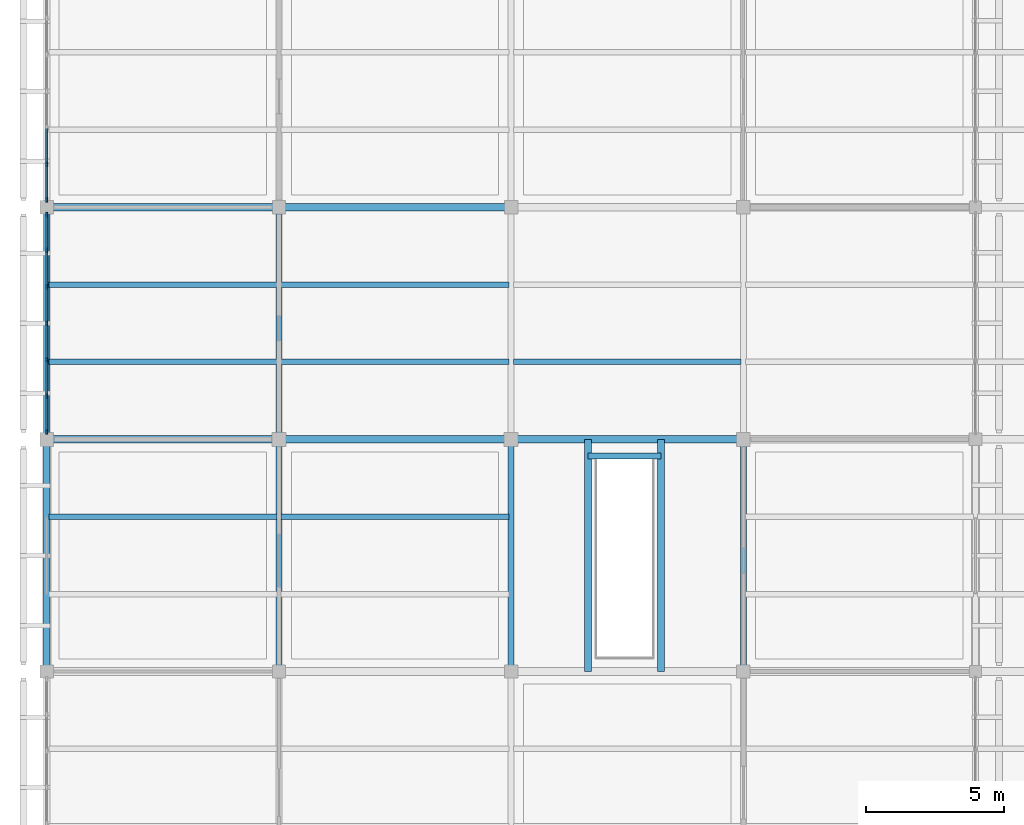
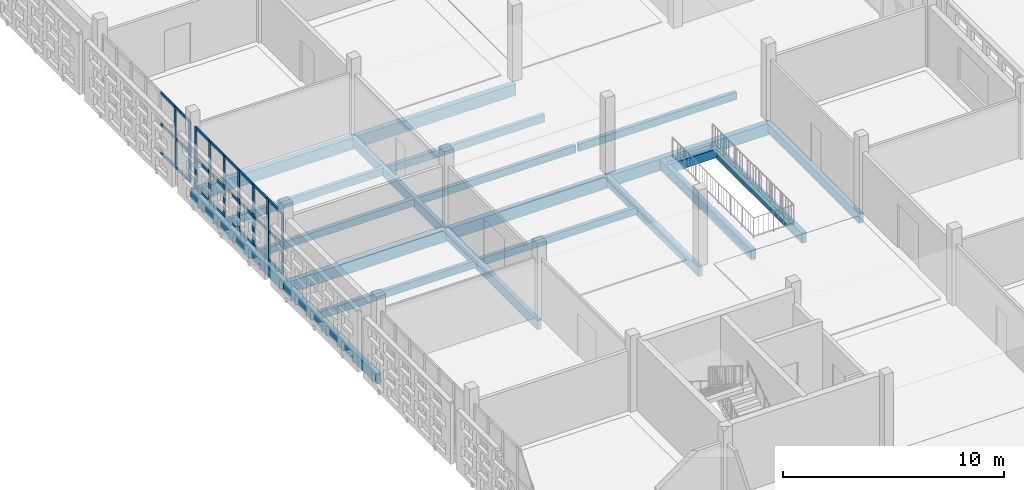
# One storey, part 32 of 166: 33 members, 21 beams, 2 elements without a shape of their own.
"""IFC4 building model written with IfcOpenShell, lengths in metres."""

import ifcopenshell
import ifcopenshell.guid

model = None  # the IFC model being written
_history = None  # IfcOwnerHistory: only IFC2X3 demands one
_inside = {}  # id of a spatial element -> (the spatial element, [elements in it])
_under = {}  # id of a project, library or spatial element -> (it, [spatial elements below it])
_declared = {}  # id of a project -> (the project, [libraries it declares])
_typed = {}  # id of a type object -> (the type object, [elements of that type])
_made_of = {}  # id of a material, layer set ... -> (it, [elements and type objects made of it])


def new_model(schema):
    """Start an empty IFC model of exactly this schema.

    Asked for "IFC4X3", IfcOpenShell would pick the latest addendum, in which some entities
    have other attributes; the version numbers below select the first issue.
    IFC2X3 requires an IfcOwnerHistory on every rooted entity: one is made here for all.
    """
    global model, _history
    if schema == "IFC4X3":
        model = ifcopenshell.file(schema_version=(4, 3, 0, 0))
    else:
        model = ifcopenshell.file(schema=schema)
    _inside.clear()
    _under.clear()
    _declared.clear()
    _typed.clear()
    _made_of.clear()
    _history = None
    if model.schema == "IFC2X3":
        org = make("IfcOrganization", Name="unknown")
        user = make(
            "IfcPersonAndOrganization",
            ThePerson=make("IfcPerson", FamilyName="unknown"),
            TheOrganization=org,
        )
        app = make(
            "IfcApplication",
            ApplicationDeveloper=org,
            Version="unknown",
            ApplicationFullName="unknown",
            ApplicationIdentifier="unknown",
        )
        _history = make(
            "IfcOwnerHistory",
            OwningUser=user,
            OwningApplication=app,
            ChangeAction="ADDED",
            CreationDate=0,
        )
    return model


def make(cls, **values):
    """One entity of the class cls with the attributes given. An attribute that is None is left unset."""
    return model.create_entity(
        cls, **{name: value for name, value in values.items() if value is not None}
    )


def rooted(cls, **values):
    """An entity with a GlobalId (a new one), such as an element, a storey or a relation."""
    return make(cls, GlobalId=ifcopenshell.guid.new(), OwnerHistory=_history, **values)


def si_unit(unit_type, name, prefix=None):
    """IfcSIUnit, for example si_unit("LENGTHUNIT", "METRE", prefix="MILLI")."""
    return make("IfcSIUnit", UnitType=unit_type, Prefix=prefix, Name=name)


def assignment(units):
    """IfcUnitAssignment: the units of a project."""
    return None if units is None else make("IfcUnitAssignment", Units=units)


def point(xyz):
    """IfcCartesianPoint."""
    return None if xyz is None else make("IfcCartesianPoint", Coordinates=xyz)


def direction(xyz):
    """IfcDirection."""
    return None if xyz is None else make("IfcDirection", DirectionRatios=xyz)


def frame(location, z_axis=None, x_axis=None):
    """IfcAxis2Placement3D, a coordinate frame: its origin and axes. An axis left out is left unset."""
    return make(
        "IfcAxis2Placement3D",
        Location=point(location),
        Axis=direction(z_axis),
        RefDirection=direction(x_axis),
    )


def frame_2d(location, x_axis=None):
    """IfcAxis2Placement2D, a coordinate frame in the plane: its origin and x axis."""
    return make(
        "IfcAxis2Placement2D", Location=point(location), RefDirection=direction(x_axis)
    )


def origin():
    """The frame at (0, 0, 0) with its axes left unset."""
    return frame((0.0, 0.0, 0.0))


def origin_2d():
    """The frame at (0, 0) in the plane with its x axis left unset."""
    return frame_2d((0.0, 0.0))


def place(relative_to, where):
    """IfcLocalPlacement: puts the frame where relative to a parent placement (None: the world)."""
    return make(
        "IfcLocalPlacement", PlacementRelTo=relative_to, RelativePlacement=where
    )


def context(
    kind, dimensions, precision=None, world=None, true_north=None, identifier=None
):
    """IfcGeometricRepresentationContext, for example the 3D "Model" context."""
    return make(
        "IfcGeometricRepresentationContext",
        ContextIdentifier=identifier,
        ContextType=kind,
        CoordinateSpaceDimension=dimensions,
        Precision=precision,
        WorldCoordinateSystem=world,
        TrueNorth=true_north,
    )


def subcontext(parent, identifier, kind, view, scale=None):
    """IfcGeometricRepresentationSubContext, for example "Body" below "Model"."""
    return make(
        "IfcGeometricRepresentationSubContext",
        ContextIdentifier=identifier,
        ContextType=kind,
        ParentContext=parent,
        TargetScale=scale,
        TargetView=view,
    )


def project(units=None, contexts=None):
    """IfcProject with its units and contexts."""
    return rooted(
        "IfcProject",
        Name="project",
        RepresentationContexts=contexts,
        UnitsInContext=assignment(units),
    )


def spatial(cls, under=None, at=None, **own):
    """A site, building, storey or space (cls), placed at a placement, below another one or the project."""
    s = rooted(cls, ObjectPlacement=at, **own)
    if under is not None:
        _under.setdefault(under.id(), (under, []))[1].append(s)
    return s


def profile(cls, at=None, kind="AREA", **sizes):
    """A parametric profile (cls). Its sizes go by their IFC names, for example OverallWidth=200.0."""
    return make(cls, ProfileType=kind, Position=at, **sizes)


def rectangle(**sizes):
    """IfcRectangleProfileDef."""
    return profile("IfcRectangleProfileDef", **sizes)


def extrude(swept, where, along, depth):
    """IfcExtrudedAreaSolid: the profile swept, set in the frame where, extruded along a direction by depth."""
    return make(
        "IfcExtrudedAreaSolid",
        SweptArea=swept,
        Position=where,
        ExtrudedDirection=direction(along),
        Depth=depth,
    )


def shape(context_of_items, identifier, shape_type, items):
    """IfcShapeRepresentation: the items that make up one representation, for example the "Body"."""
    return make(
        "IfcShapeRepresentation",
        ContextOfItems=context_of_items,
        RepresentationIdentifier=identifier,
        RepresentationType=shape_type,
        Items=items,
    )


def material(Name=None, Category=None):
    """IfcMaterial."""
    return make("IfcMaterial", Name=Name, Category=Category)


def layer(
    of_material, thickness, ventilated=None, Name=None, Category=None, Priority=None
):
    """IfcMaterialLayer: one layer of a wall or slab, of a material (None: an air gap)."""
    return make(
        "IfcMaterialLayer",
        Material=of_material,
        LayerThickness=thickness,
        IsVentilated=ventilated,
        Name=Name,
        Category=Category,
        Priority=Priority,
    )


def layer_set(layers, Name=None):
    """IfcMaterialLayerSet."""
    return make("IfcMaterialLayerSet", MaterialLayers=layers, LayerSetName=Name)


def material_profile(
    of_material, cross_section, Name=None, Category=None, Priority=None
):
    """IfcMaterialProfile: a cross section and its material."""
    return make(
        "IfcMaterialProfile",
        Name=Name,
        Material=of_material,
        Profile=cross_section,
        Priority=Priority,
        Category=Category,
    )


def profile_set(profiles, Name=None, composite=None):
    """IfcMaterialProfileSet."""
    return make(
        "IfcMaterialProfileSet",
        Name=Name,
        MaterialProfiles=profiles,
        CompositeProfile=composite,
    )


def made_of(thing, what):
    """Note that an element or type object is made of a material, layer set ...; save() writes the relation."""
    if what is not None:
        _made_of.setdefault(what.id(), (what, []))[1].append(thing)
    return thing


def type_object(cls, material=None, **own):
    """A type object (cls), such as IfcWallType, which elements share."""
    return made_of(rooted(cls, **own), material)


def element(
    cls,
    number,
    at=None,
    inside=None,
    cuts=None,
    type_object=None,
    material=None,
    context=None,
    identifier="Body",
    shape_type=None,
    held_by="IfcProductDefinitionShape",
    body=None,
    shapes=None,
    **own,
):
    """One element of the class cls, such as IfcWall. Its Tag is "e" and its number.

    at: its placement. inside: the storey or other place that contains it. cuts: it is an
    opening in that element (IfcRelVoidsElement). A single representation is given by context,
    identifier, shape_type and body (its items); several are given by shapes. held_by: the class
    of the entity that holds the representations. save() writes the other relations.
    """
    e = rooted(cls, Tag="e%d" % number, ObjectPlacement=at, **own)
    if body is not None:
        shapes = [shape(context, identifier, shape_type, body)]
    if shapes is not None:
        e.Representation = make(held_by, Representations=shapes)
    if inside is not None:
        _inside.setdefault(inside.id(), (inside, []))[1].append(e)
    if cuts is not None:
        rooted(
            "IfcRelVoidsElement", RelatingBuildingElement=cuts, RelatedOpeningElement=e
        )
    if type_object is not None:
        _typed.setdefault(type_object.id(), (type_object, []))[1].append(e)
    return made_of(e, material)


def aggregate(whole, parts):
    """IfcRelAggregates: a whole, such as a stair, and the parts it consists of."""
    return rooted("IfcRelAggregates", RelatingObject=whole, RelatedObjects=parts)


def save(model, path):
    """Write the relations noted so far, then the file.

    IfcRelAggregates (storeys below a building ...), IfcRelContainedInSpatialStructure (elements
    in a storey), IfcRelDefinesByType, IfcRelAssociatesMaterial and IfcRelDeclares: one each for
    every whole, place, type object, material and project.
    """
    for whole, parts in _under.values():
        aggregate(whole, parts)
    for where, things in _inside.values():
        rooted(
            "IfcRelContainedInSpatialStructure",
            RelatedElements=things,
            RelatingStructure=where,
        )
    for kind, things in _typed.values():
        rooted("IfcRelDefinesByType", RelatedObjects=things, RelatingType=kind)
    for what, things in _made_of.values():
        rooted("IfcRelAssociatesMaterial", RelatedObjects=things, RelatingMaterial=what)
    for by, libraries in _declared.values():
        rooted("IfcRelDeclares", RelatingContext=by, RelatedDefinitions=libraries)
    model.write(path)


model = new_model("IFC4")

# Units and contexts
model_context = context("Model", 3, precision=1e-05, world=origin(), true_north=direction((0.0, 1.0)))
body_context = subcontext(model_context, "Body", "Model", "MODEL_VIEW")
ifc_project = project(units=[si_unit("LENGTHUNIT", "METRE"), si_unit("AREAUNIT", "SQUARE_METRE"), si_unit("VOLUMEUNIT", "CUBIC_METRE"), si_unit("PLANEANGLEUNIT", "RADIAN"), si_unit("MASSUNIT", "GRAM", prefix="KILO")], contexts=[model_context])

# Site, building, storey
site_placement = place(None, origin())
site = spatial("IfcSite", under=ifc_project, at=site_placement, CompositionType="ELEMENT")
building_placement = place(site_placement, origin())
building = spatial("IfcBuilding", under=site, at=building_placement, Name="Varnapada Polytechnic", CompositionType="ELEMENT")
storey_placement = place(building_placement, frame((0.0, 0.0, 9.60009765625)))
storey = spatial("IfcBuildingStorey", under=building, at=storey_placement, Name="L02", CompositionType="ELEMENT", Elevation=9.60009765625)

# Beams
ifc_material_1 = material(Name="Glulam GL32h", Category="wood")
ifc_material_profile_1 = material_profile(ifc_material_1, rectangle(XDim=0.280029296875, YDim=0.639892578125, at=origin_2d()), Name="GL 280x640")
ifc_profile_set_1 = profile_set([ifc_material_profile_1], Name="Glulam GL32h")
beam_type_1 = type_object("IfcBeamType", Name="Laboratory primary glulam girder GG-02 (GL 280x640)", PredefinedType="BEAM", material=ifc_profile_set_1)
for number, where, z_axis, x_axis, name in (
    (1, (0.0, 84.0, -0.56005859375), (1.0, 0.0, 0.0), (0.0, 1.0, 0.0), "L02 beam X 1-2 at Y11"),
    (2, (0.0, 92.39990234375, -0.56005859375), (1.0, 0.0, 0.0), (0.0, 1.0, 0.0), "L02 beam X 1-2 at Y12"),
):
    element("IfcBeam", number, at=place(storey_placement, frame(where, z_axis=z_axis, x_axis=x_axis)), inside=storey, type_object=beam_type_1, Name=name, PredefinedType="BEAM", context=body_context, shape_type="SweptSolid", body=[
        extrude(rectangle(XDim=0.280029296875, YDim=0.639892578125, at=origin_2d()), origin(), (0.0, 0.0, 1.0), 8.39990234375),
    ])
for number, where, z_axis, x_axis, name in (
    (3, (8.39990234375, 84.0, -0.56005859375), (1.0, 0.0, 0.0), (0.0, 1.0, 0.0), "L02 beam X 2-3 at Y11"),
    (4, (8.39990234375, 92.39990234375, -0.56005859375), (1.0, 0.0, 0.0), (0.0, 1.0, 0.0), "L02 beam X 2-3 at Y12"),
):
    element("IfcBeam", number, at=place(storey_placement, frame(where, z_axis=z_axis, x_axis=x_axis)), inside=storey, type_object=beam_type_1, Name=name, PredefinedType="BEAM", context=body_context, shape_type="SweptSolid", body=[
        extrude(rectangle(XDim=0.280029296875, YDim=0.639892578125, at=origin_2d()), origin(), (0.0, 0.0, 1.0), 8.400146484375),
    ])
beam_1_placement = place(storey_placement, frame((16.800048828125, 84.0, -0.56005859375), z_axis=(1.0, 0.0, 0.0), x_axis=(0.0, 1.0, 0.0)))
element("IfcBeam", 5, at=beam_1_placement, inside=storey, type_object=beam_type_1, Name="L02 beam X 3-4 at Y11", PredefinedType="BEAM", context=body_context, shape_type="SweptSolid", body=[
    extrude(rectangle(XDim=0.280029296875, YDim=0.639892578125, at=origin_2d()), origin(), (0.0, 0.0, 1.0), 8.39990234375),
])
ifc_material_profile_2 = material_profile(ifc_material_1, rectangle(XDim=0.219970703125, YDim=0.52001953125, at=origin_2d()), Name="GL 220x520")
ifc_profile_set_2 = profile_set([ifc_material_profile_2], Name="Glulam GL32h")
beam_type_2 = type_object("IfcBeamType", Name="Laboratory transverse glulam beam GB-12 (GL 220x520)", PredefinedType="BEAM", material=ifc_profile_set_2)
for number, where, z_axis, x_axis, name in (
    (6, (8.39990234375, 75.60009765625, -0.5), (0.0, 1.0, 0.0), (-1.0, 0.0, 0.0), "L02 beam Y 10-11 at X2"),
    (7, (8.39990234375, 84.0, -0.5), (0.0, 1.0, 0.0), (-1.0, 0.0, 0.0), "L02 beam Y 11-12 at X2"),
    (8, (16.800048828125, 75.60009765625, -0.5), (0.0, 1.0, 0.0), (-1.0, 0.0, 0.0), "L02 beam Y 10-11 at X3"),
    (9, (25.199951171875, 75.60009765625, -0.5), (0.0, 1.0, 0.0), (-1.0, 0.0, 0.0), "L02 beam Y 10-11 at X4"),
):
    element("IfcBeam", number, at=place(storey_placement, frame(where, z_axis=z_axis, x_axis=x_axis)), inside=storey, type_object=beam_type_2, Name=name, PredefinedType="BEAM", context=body_context, shape_type="SweptSolid", body=[
        extrude(rectangle(XDim=0.219970703125, YDim=0.52001953125, at=origin_2d()), origin(), (0.0, 0.0, 1.0), 8.39990234375),
    ])
ifc_material_profile_3 = material_profile(ifc_material_1, rectangle(XDim=0.199951171875, YDim=0.39990234375, at=origin_2d()), Name="GL 200x400")
ifc_profile_set_3 = profile_set([ifc_material_profile_3], Name="Glulam GL32h")
beam_type_3 = type_object("IfcBeamType", Name="Library/laboratory glulam floor joist GJ-01 (GL 200x400)", PredefinedType="JOIST", material=ifc_profile_set_3)
for number, where, z_axis, x_axis, name in (
    (10, (0.080078125, 81.199951171875, -0.440185546875), (1.0, 0.0, 0.0), (0.0, 1.0, 0.0), "L02 floor joist 1/10.2"),
    (11, (0.080078125, 86.800048828125, -0.440185546875), (1.0, 0.0, 0.0), (0.0, 1.0, 0.0), "L02 floor joist 1/11.1"),
    (12, (0.080078125, 89.60009765625, -0.440185546875), (1.0, 0.0, 0.0), (0.0, 1.0, 0.0), "L02 floor joist 1/11.2"),
    (13, (8.47998046875, 81.199951171875, -0.440185546875), (1.0, 0.0, 0.0), (0.0, 1.0, 0.0), "L02 floor joist 2/10.2"),
    (14, (8.47998046875, 86.800048828125, -0.440185546875), (1.0, 0.0, 0.0), (0.0, 1.0, 0.0), "L02 floor joist 2/11.1"),
    (15, (8.47998046875, 89.60009765625, -0.440185546875), (1.0, 0.0, 0.0), (0.0, 1.0, 0.0), "L02 floor joist 2/11.2"),
):
    element("IfcBeam", number, at=place(storey_placement, frame(where, z_axis=z_axis, x_axis=x_axis)), inside=storey, type_object=beam_type_3, Name=name, PredefinedType="JOIST", context=body_context, shape_type="SweptSolid", body=[
        extrude(rectangle(XDim=0.199951171875, YDim=0.39990234375, at=origin_2d()), origin(), (0.0, 0.0, 1.0), 8.239990234375),
    ])
beam_2_placement = place(storey_placement, frame((16.8798828125, 86.800048828125, -0.440185546875), z_axis=(1.0, 0.0, 0.0), x_axis=(0.0, 1.0, 0.0)))
element("IfcBeam", 16, at=beam_2_placement, inside=storey, type_object=beam_type_3, Name="L02 floor joist 3/11.1", PredefinedType="JOIST", context=body_context, shape_type="SweptSolid", body=[
    extrude(rectangle(XDim=0.199951171875, YDim=0.39990234375, at=origin_2d()), origin(), (0.0, 0.0, 1.0), 8.240234375),
])

# Curtain wall, members
ifc_material_2 = material(Name="Double low-E laminated glass", Category="glass")
ifc_layer = layer(ifc_material_2, 0.179931640625)
ifc_layer_set = layer_set([ifc_layer], Name="Double low-E laminated glass")
curtain_wall_type = type_object("IfcCurtainWallType", Name="Curtain Wall CW-03", PredefinedType="NOTDEFINED", material=ifc_layer_set)
curtain_wall_1_placement = place(storey_placement, origin())
curtain_wall_1 = element("IfcCurtainWall", 17, at=curtain_wall_1_placement, inside=storey, type_object=curtain_wall_type, Name="L02 unitised curtain wall CW-03 (132)", PredefinedType="NOTDEFINED")
ifc_material_3 = material(Name="Anodised aluminium", Category="aluminium")
ifc_material_profile_4 = material_profile(ifc_material_3, rectangle(XDim=0.06494140625, YDim=0.179931640625, at=origin_2d()), Name="ALU M65x180")
ifc_profile_set_4 = profile_set([ifc_material_profile_4], Name="Anodised aluminium")
member_type_1 = type_object("IfcMemberType", Name="Mullion M-02", PredefinedType="MULLION", material=ifc_profile_set_4)
member_1_placement = place(storey_placement, frame((0.0, 84.282470703125, 0.0), z_axis=(0.0, 0.0, 1.0), x_axis=(-1.0, 0.0, 0.0)))
member_1 = element("IfcMember", 18, at=member_1_placement, type_object=member_type_1, Name="CW-03 mullion 1", PredefinedType="MULLION", context=body_context, shape_type="SweptSolid", body=[
    extrude(rectangle(XDim=0.06494140625, YDim=0.179931640625, at=origin_2d()), origin(), (0.0, 0.0, 1.0), 3.35986328125),
])
member_2_placement = place(storey_placement, frame((0.0, 85.568359375, 0.0), z_axis=(0.0, 0.0, 1.0), x_axis=(-1.0, 0.0, 0.0)))
member_2 = element("IfcMember", 19, at=member_2_placement, type_object=member_type_1, Name="CW-03 mullion 2", PredefinedType="MULLION", context=body_context, shape_type="SweptSolid", body=[
    extrude(rectangle(XDim=0.06494140625, YDim=0.179931640625, at=origin_2d()), origin(), (0.0, 0.0, 1.0), 3.35986328125),
])
member_3_placement = place(storey_placement, frame((0.0, 86.88671875, 0.0), z_axis=(0.0, 0.0, 1.0), x_axis=(-1.0, 0.0, 0.0)))
member_3 = element("IfcMember", 20, at=member_3_placement, type_object=member_type_1, Name="CW-03 mullion 3", PredefinedType="MULLION", context=body_context, shape_type="SweptSolid", body=[
    extrude(rectangle(XDim=0.06494140625, YDim=0.179931640625, at=origin_2d()), origin(), (0.0, 0.0, 1.0), 3.35986328125),
])
member_4_placement = place(storey_placement, frame((0.0, 88.205078125, 0.0), z_axis=(0.0, 0.0, 1.0), x_axis=(-1.0, 0.0, 0.0)))
member_4 = element("IfcMember", 21, at=member_4_placement, type_object=member_type_1, Name="CW-03 mullion 4", PredefinedType="MULLION", context=body_context, shape_type="SweptSolid", body=[
    extrude(rectangle(XDim=0.06494140625, YDim=0.179931640625, at=origin_2d()), origin(), (0.0, 0.0, 1.0), 3.35986328125),
])
member_5_placement = place(storey_placement, frame((0.0, 89.5234375, 0.0), z_axis=(0.0, 0.0, 1.0), x_axis=(-1.0, 0.0, 0.0)))
member_5 = element("IfcMember", 22, at=member_5_placement, type_object=member_type_1, Name="CW-03 mullion 5", PredefinedType="MULLION", context=body_context, shape_type="SweptSolid", body=[
    extrude(rectangle(XDim=0.06494140625, YDim=0.179931640625, at=origin_2d()), origin(), (0.0, 0.0, 1.0), 3.35986328125),
])
member_6_placement = place(storey_placement, frame((0.0, 90.841552734375, 0.0), z_axis=(0.0, 0.0, 1.0), x_axis=(-1.0, 0.0, 0.0)))
member_6 = element("IfcMember", 23, at=member_6_placement, type_object=member_type_1, Name="CW-03 mullion 6", PredefinedType="MULLION", context=body_context, shape_type="SweptSolid", body=[
    extrude(rectangle(XDim=0.06494140625, YDim=0.179931640625, at=origin_2d()), origin(), (0.0, 0.0, 1.0), 3.35986328125),
])
member_7_placement = place(storey_placement, frame((0.0, 92.12744140625, 0.0), z_axis=(0.0, 0.0, 1.0), x_axis=(-1.0, 0.0, 0.0)))
member_7 = element("IfcMember", 24, at=member_7_placement, type_object=member_type_1, Name="CW-03 mullion 7", PredefinedType="MULLION", context=body_context, shape_type="SweptSolid", body=[
    extrude(rectangle(XDim=0.06494140625, YDim=0.179931640625, at=origin_2d()), origin(), (0.0, 0.0, 1.0), 3.35986328125),
])

curtain_wall_2_placement = place(storey_placement, origin())
curtain_wall_2 = element("IfcCurtainWall", 25, at=curtain_wall_2_placement, inside=storey, type_object=curtain_wall_type, Name="L02 unitised curtain wall CW-03 (133)", PredefinedType="NOTDEFINED")
member_8_placement = place(storey_placement, frame((0.0, 92.672607421875, 0.0), z_axis=(0.0, 0.0, 1.0), x_axis=(-1.0, 0.0, 0.0)))
member_8 = element("IfcMember", 26, at=member_8_placement, type_object=member_type_1, Name="CW-03 mullion 1", PredefinedType="MULLION", context=body_context, shape_type="SweptSolid", body=[
    extrude(rectangle(XDim=0.06494140625, YDim=0.179931640625, at=origin_2d()), origin(), (0.0, 0.0, 1.0), 3.35986328125),
])
member_9_placement = place(storey_placement, frame((0.0, 93.958251953125, 0.0), z_axis=(0.0, 0.0, 1.0), x_axis=(-1.0, 0.0, 0.0)))
member_9 = element("IfcMember", 27, at=member_9_placement, type_object=member_type_1, Name="CW-03 mullion 2", PredefinedType="MULLION", context=body_context, shape_type="SweptSolid", body=[
    extrude(rectangle(XDim=0.06494140625, YDim=0.179931640625, at=origin_2d()), origin(), (0.0, 0.0, 1.0), 3.35986328125),
])

# Beams
ifc_material_profile_5 = material_profile(ifc_material_1, rectangle(XDim=0.239990234375, YDim=0.56005859375, at=origin_2d()), Name="GL 240x560")
ifc_profile_set_5 = profile_set([ifc_material_profile_5], Name="Glulam GL32h")
beam_type_4 = type_object("IfcBeamType", Name="Perimeter glulam spandrel beam SP-02 (GL 240x560)", PredefinedType="SPANDREL", material=ifc_profile_set_5)
for number, where, z_axis, x_axis, name in (
    (28, (0.0, 75.60009765625, -0.52001953125), (0.0, 1.0, 0.0), (-1.0, 0.0, 0.0), "L02 beam Y 10-11 at X1"),
    (29, (0.0, 84.0, -0.52001953125), (0.0, 1.0, 0.0), (-1.0, 0.0, 0.0), "L02 beam Y 11-12 at X1"),
):
    element("IfcBeam", number, at=place(storey_placement, frame(where, z_axis=z_axis, x_axis=x_axis)), inside=storey, type_object=beam_type_4, Name=name, PredefinedType="SPANDREL", context=body_context, shape_type="SweptSolid", body=[
        extrude(rectangle(XDim=0.239990234375, YDim=0.56005859375, at=origin_2d()), origin(), (0.0, 0.0, 1.0), 8.39990234375),
    ])
ifc_material_profile_6 = material_profile(ifc_material_1, rectangle(XDim=0.239990234375, YDim=0.56005859375, at=origin_2d()), Name="GL 240x560")
ifc_profile_set_6 = profile_set([ifc_material_profile_6], Name="Glulam GL32h")
beam_type_5 = type_object("IfcBeamType", Name="Studio primary glulam girder GG-03 (GL 240x560)", PredefinedType="BEAM", material=ifc_profile_set_6)
for number, where, z_axis, x_axis, name in (
    (30, (19.580078125, 75.60009765625, -0.530029296875), (0.0, 1.0, 0.0), (-1.0, 0.0, 0.0), "L02 studio stair ST-F7 trimmer girder L"),
    (31, (22.219970703125, 75.60009765625, -0.530029296875), (0.0, 1.0, 0.0), (-1.0, 0.0, 0.0), "L02 studio stair ST-F7 trimmer girder R"),
):
    element("IfcBeam", number, at=place(storey_placement, frame(where, z_axis=z_axis, x_axis=x_axis)), inside=storey, type_object=beam_type_5, Name=name, PredefinedType="BEAM", context=body_context, shape_type="SweptSolid", body=[
        extrude(rectangle(XDim=0.239990234375, YDim=0.56005859375, at=origin_2d()), origin(), (0.0, 0.0, 1.0), 8.39990234375),
    ])

# Member
ifc_material_profile_7 = material_profile(ifc_material_3, rectangle(XDim=0.06494140625, YDim=0.139892578125, at=origin_2d()), Name="ALU T65x140")
ifc_profile_set_7 = profile_set([ifc_material_profile_7], Name="Anodised aluminium")
member_type_2 = type_object("IfcMemberType", Name="Transom T-02", PredefinedType="USERDEFINED", material=ifc_profile_set_7)
member_10_placement = place(storey_placement, frame((0.0, 84.31494140625, 0.032470703125), z_axis=(0.0, 1.0, 0.0), x_axis=(-1.0, 0.0, 0.0)))
member_10 = element("IfcMember", 32, at=member_10_placement, type_object=member_type_2, Name="CW-03 transom 1.1", ObjectType="TRANSOM", PredefinedType="USERDEFINED", context=body_context, shape_type="SweptSolid", body=[
    extrude(rectangle(XDim=0.06494140625, YDim=0.139892578125, at=origin_2d()), origin(), (0.0, 0.0, 1.0), 1.220947265625),
])

member_11_placement = place(storey_placement, frame((0.0, 84.31494140625, 1.61279296875), z_axis=(0.0, 1.0, 0.0), x_axis=(-1.0, 0.0, 0.0)))
member_11 = element("IfcMember", 33, at=member_11_placement, type_object=member_type_2, Name="CW-03 transom 1.2", ObjectType="TRANSOM", PredefinedType="USERDEFINED", context=body_context, shape_type="SweptSolid", body=[
    extrude(rectangle(XDim=0.06494140625, YDim=0.139892578125, at=origin_2d()), origin(), (0.0, 0.0, 1.0), 1.220947265625),
])

member_12_placement = place(storey_placement, frame((0.0, 84.31494140625, 3.327392578125), z_axis=(0.0, 1.0, 0.0), x_axis=(-1.0, 0.0, 0.0)))
member_12 = element("IfcMember", 34, at=member_12_placement, type_object=member_type_2, Name="CW-03 transom 1.3", ObjectType="TRANSOM", PredefinedType="USERDEFINED", context=body_context, shape_type="SweptSolid", body=[
    extrude(rectangle(XDim=0.06494140625, YDim=0.139892578125, at=origin_2d()), origin(), (0.0, 0.0, 1.0), 1.220947265625),
])

member_13_placement = place(storey_placement, frame((0.0, 85.600830078125, 0.032470703125), z_axis=(0.0, 1.0, 0.0), x_axis=(-1.0, 0.0, 0.0)))
member_13 = element("IfcMember", 35, at=member_13_placement, type_object=member_type_2, Name="CW-03 transom 2.1", ObjectType="TRANSOM", PredefinedType="USERDEFINED", context=body_context, shape_type="SweptSolid", body=[
    extrude(rectangle(XDim=0.06494140625, YDim=0.139892578125, at=origin_2d()), origin(), (0.0, 0.0, 1.0), 1.25341796875),
])

member_14_placement = place(storey_placement, frame((0.0, 85.600830078125, 1.61279296875), z_axis=(0.0, 1.0, 0.0), x_axis=(-1.0, 0.0, 0.0)))
member_14 = element("IfcMember", 36, at=member_14_placement, type_object=member_type_2, Name="CW-03 transom 2.2", ObjectType="TRANSOM", PredefinedType="USERDEFINED", context=body_context, shape_type="SweptSolid", body=[
    extrude(rectangle(XDim=0.06494140625, YDim=0.139892578125, at=origin_2d()), origin(), (0.0, 0.0, 1.0), 1.25341796875),
])

member_15_placement = place(storey_placement, frame((0.0, 85.600830078125, 3.327392578125), z_axis=(0.0, 1.0, 0.0), x_axis=(-1.0, 0.0, 0.0)))
member_15 = element("IfcMember", 37, at=member_15_placement, type_object=member_type_2, Name="CW-03 transom 2.3", ObjectType="TRANSOM", PredefinedType="USERDEFINED", context=body_context, shape_type="SweptSolid", body=[
    extrude(rectangle(XDim=0.06494140625, YDim=0.139892578125, at=origin_2d()), origin(), (0.0, 0.0, 1.0), 1.25341796875),
])

member_16_placement = place(storey_placement, frame((0.0, 86.919189453125, 0.032470703125), z_axis=(0.0, 1.0, 0.0), x_axis=(-1.0, 0.0, 0.0)))
member_16 = element("IfcMember", 38, at=member_16_placement, type_object=member_type_2, Name="CW-03 transom 3.1", ObjectType="TRANSOM", PredefinedType="USERDEFINED", context=body_context, shape_type="SweptSolid", body=[
    extrude(rectangle(XDim=0.06494140625, YDim=0.139892578125, at=origin_2d()), origin(), (0.0, 0.0, 1.0), 1.25341796875),
])

member_17_placement = place(storey_placement, frame((0.0, 86.919189453125, 1.61279296875), z_axis=(0.0, 1.0, 0.0), x_axis=(-1.0, 0.0, 0.0)))
member_17 = element("IfcMember", 39, at=member_17_placement, type_object=member_type_2, Name="CW-03 transom 3.2", ObjectType="TRANSOM", PredefinedType="USERDEFINED", context=body_context, shape_type="SweptSolid", body=[
    extrude(rectangle(XDim=0.06494140625, YDim=0.139892578125, at=origin_2d()), origin(), (0.0, 0.0, 1.0), 1.25341796875),
])

member_18_placement = place(storey_placement, frame((0.0, 86.919189453125, 3.327392578125), z_axis=(0.0, 1.0, 0.0), x_axis=(-1.0, 0.0, 0.0)))
member_18 = element("IfcMember", 40, at=member_18_placement, type_object=member_type_2, Name="CW-03 transom 3.3", ObjectType="TRANSOM", PredefinedType="USERDEFINED", context=body_context, shape_type="SweptSolid", body=[
    extrude(rectangle(XDim=0.06494140625, YDim=0.139892578125, at=origin_2d()), origin(), (0.0, 0.0, 1.0), 1.25341796875),
])

member_19_placement = place(storey_placement, frame((0.0, 88.237548828125, 0.032470703125), z_axis=(0.0, 1.0, 0.0), x_axis=(-1.0, 0.0, 0.0)))
member_19 = element("IfcMember", 41, at=member_19_placement, type_object=member_type_2, Name="CW-03 transom 4.1", ObjectType="TRANSOM", PredefinedType="USERDEFINED", context=body_context, shape_type="SweptSolid", body=[
    extrude(rectangle(XDim=0.06494140625, YDim=0.139892578125, at=origin_2d()), origin(), (0.0, 0.0, 1.0), 1.253173828125),
])

member_20_placement = place(storey_placement, frame((0.0, 88.237548828125, 1.61279296875), z_axis=(0.0, 1.0, 0.0), x_axis=(-1.0, 0.0, 0.0)))
member_20 = element("IfcMember", 42, at=member_20_placement, type_object=member_type_2, Name="CW-03 transom 4.2", ObjectType="TRANSOM", PredefinedType="USERDEFINED", context=body_context, shape_type="SweptSolid", body=[
    extrude(rectangle(XDim=0.06494140625, YDim=0.139892578125, at=origin_2d()), origin(), (0.0, 0.0, 1.0), 1.253173828125),
])

member_21_placement = place(storey_placement, frame((0.0, 88.237548828125, 3.327392578125), z_axis=(0.0, 1.0, 0.0), x_axis=(-1.0, 0.0, 0.0)))
member_21 = element("IfcMember", 43, at=member_21_placement, type_object=member_type_2, Name="CW-03 transom 4.3", ObjectType="TRANSOM", PredefinedType="USERDEFINED", context=body_context, shape_type="SweptSolid", body=[
    extrude(rectangle(XDim=0.06494140625, YDim=0.139892578125, at=origin_2d()), origin(), (0.0, 0.0, 1.0), 1.253173828125),
])

member_22_placement = place(storey_placement, frame((0.0, 89.555908203125, 0.032470703125), z_axis=(0.0, 1.0, 0.0), x_axis=(-1.0, 0.0, 0.0)))
member_22 = element("IfcMember", 44, at=member_22_placement, type_object=member_type_2, Name="CW-03 transom 5.1", ObjectType="TRANSOM", PredefinedType="USERDEFINED", context=body_context, shape_type="SweptSolid", body=[
    extrude(rectangle(XDim=0.06494140625, YDim=0.139892578125, at=origin_2d()), origin(), (0.0, 0.0, 1.0), 1.253173828125),
])

member_23_placement = place(storey_placement, frame((0.0, 89.555908203125, 1.61279296875), z_axis=(0.0, 1.0, 0.0), x_axis=(-1.0, 0.0, 0.0)))
member_23 = element("IfcMember", 45, at=member_23_placement, type_object=member_type_2, Name="CW-03 transom 5.2", ObjectType="TRANSOM", PredefinedType="USERDEFINED", context=body_context, shape_type="SweptSolid", body=[
    extrude(rectangle(XDim=0.06494140625, YDim=0.139892578125, at=origin_2d()), origin(), (0.0, 0.0, 1.0), 1.253173828125),
])

member_24_placement = place(storey_placement, frame((0.0, 89.555908203125, 3.327392578125), z_axis=(0.0, 1.0, 0.0), x_axis=(-1.0, 0.0, 0.0)))
member_24 = element("IfcMember", 46, at=member_24_placement, type_object=member_type_2, Name="CW-03 transom 5.3", ObjectType="TRANSOM", PredefinedType="USERDEFINED", context=body_context, shape_type="SweptSolid", body=[
    extrude(rectangle(XDim=0.06494140625, YDim=0.139892578125, at=origin_2d()), origin(), (0.0, 0.0, 1.0), 1.253173828125),
])

member_25_placement = place(storey_placement, frame((0.0, 90.874267578125, 0.032470703125), z_axis=(0.0, 1.0, 0.0), x_axis=(-1.0, 0.0, 0.0)))
member_25 = element("IfcMember", 47, at=member_25_placement, type_object=member_type_2, Name="CW-03 transom 6.1", ObjectType="TRANSOM", PredefinedType="USERDEFINED", context=body_context, shape_type="SweptSolid", body=[
    extrude(rectangle(XDim=0.06494140625, YDim=0.139892578125, at=origin_2d()), origin(), (0.0, 0.0, 1.0), 1.220703125),
])

member_26_placement = place(storey_placement, frame((0.0, 90.874267578125, 1.61279296875), z_axis=(0.0, 1.0, 0.0), x_axis=(-1.0, 0.0, 0.0)))
member_26 = element("IfcMember", 48, at=member_26_placement, type_object=member_type_2, Name="CW-03 transom 6.2", ObjectType="TRANSOM", PredefinedType="USERDEFINED", context=body_context, shape_type="SweptSolid", body=[
    extrude(rectangle(XDim=0.06494140625, YDim=0.139892578125, at=origin_2d()), origin(), (0.0, 0.0, 1.0), 1.220703125),
])

member_27_placement = place(storey_placement, frame((0.0, 90.874267578125, 3.327392578125), z_axis=(0.0, 1.0, 0.0), x_axis=(-1.0, 0.0, 0.0)))
member_27 = element("IfcMember", 49, at=member_27_placement, type_object=member_type_2, Name="CW-03 transom 6.3", ObjectType="TRANSOM", PredefinedType="USERDEFINED", context=body_context, shape_type="SweptSolid", body=[
    extrude(rectangle(XDim=0.06494140625, YDim=0.139892578125, at=origin_2d()), origin(), (0.0, 0.0, 1.0), 1.220703125),
])

aggregate(curtain_wall_1, [member_1, member_2, member_3, member_4, member_5, member_6, member_7, member_10, member_11, member_12, member_13, member_14, member_15, member_16, member_17, member_18, member_19, member_20, member_21, member_22, member_23, member_24, member_25, member_26, member_27])

member_28_placement = place(storey_placement, frame((0.0, 92.705078125, 0.032470703125), z_axis=(0.0, 1.0, 0.0), x_axis=(-1.0, 0.0, 0.0)))
member_28 = element("IfcMember", 50, at=member_28_placement, type_object=member_type_2, Name="CW-03 transom 1.1", ObjectType="TRANSOM", PredefinedType="USERDEFINED", context=body_context, shape_type="SweptSolid", body=[
    extrude(rectangle(XDim=0.06494140625, YDim=0.139892578125, at=origin_2d()), origin(), (0.0, 0.0, 1.0), 1.220703125),
])

member_29_placement = place(storey_placement, frame((0.0, 92.705078125, 1.61279296875), z_axis=(0.0, 1.0, 0.0), x_axis=(-1.0, 0.0, 0.0)))
member_29 = element("IfcMember", 51, at=member_29_placement, type_object=member_type_2, Name="CW-03 transom 1.2", ObjectType="TRANSOM", PredefinedType="USERDEFINED", context=body_context, shape_type="SweptSolid", body=[
    extrude(rectangle(XDim=0.06494140625, YDim=0.139892578125, at=origin_2d()), origin(), (0.0, 0.0, 1.0), 1.220703125),
])

member_30_placement = place(storey_placement, frame((0.0, 92.705078125, 3.327392578125), z_axis=(0.0, 1.0, 0.0), x_axis=(-1.0, 0.0, 0.0)))
member_30 = element("IfcMember", 52, at=member_30_placement, type_object=member_type_2, Name="CW-03 transom 1.3", ObjectType="TRANSOM", PredefinedType="USERDEFINED", context=body_context, shape_type="SweptSolid", body=[
    extrude(rectangle(XDim=0.06494140625, YDim=0.139892578125, at=origin_2d()), origin(), (0.0, 0.0, 1.0), 1.220703125),
])

member_31_placement = place(storey_placement, frame((0.0, 93.99072265625, 0.032470703125), z_axis=(0.0, 1.0, 0.0), x_axis=(-1.0, 0.0, 0.0)))
member_31 = element("IfcMember", 53, at=member_31_placement, type_object=member_type_2, Name="CW-03 transom 2.1", ObjectType="TRANSOM", PredefinedType="USERDEFINED", context=body_context, shape_type="SweptSolid", body=[
    extrude(rectangle(XDim=0.06494140625, YDim=0.139892578125, at=origin_2d()), origin(), (0.0, 0.0, 1.0), 1.25341796875),
])

member_32_placement = place(storey_placement, frame((0.0, 93.99072265625, 1.61279296875), z_axis=(0.0, 1.0, 0.0), x_axis=(-1.0, 0.0, 0.0)))
member_32 = element("IfcMember", 54, at=member_32_placement, type_object=member_type_2, Name="CW-03 transom 2.2", ObjectType="TRANSOM", PredefinedType="USERDEFINED", context=body_context, shape_type="SweptSolid", body=[
    extrude(rectangle(XDim=0.06494140625, YDim=0.139892578125, at=origin_2d()), origin(), (0.0, 0.0, 1.0), 1.25341796875),
])

member_33_placement = place(storey_placement, frame((0.0, 93.99072265625, 3.327392578125), z_axis=(0.0, 1.0, 0.0), x_axis=(-1.0, 0.0, 0.0)))
member_33 = element("IfcMember", 55, at=member_33_placement, type_object=member_type_2, Name="CW-03 transom 2.3", ObjectType="TRANSOM", PredefinedType="USERDEFINED", context=body_context, shape_type="SweptSolid", body=[
    extrude(rectangle(XDim=0.06494140625, YDim=0.139892578125, at=origin_2d()), origin(), (0.0, 0.0, 1.0), 1.25341796875),
])

aggregate(curtain_wall_2, [member_8, member_9, member_28, member_29, member_30, member_31, member_32, member_33])

# Beam
ifc_material_profile_8 = material_profile(ifc_material_1, rectangle(XDim=0.219970703125, YDim=0.47998046875, at=origin_2d()), Name="GL 220x480")
ifc_profile_set_8 = profile_set([ifc_material_profile_8], Name="Glulam GL32h")
beam_type_6 = type_object("IfcBeamType", Name="Upper floor glulam tie beam GB-11 (GL 220x480)", PredefinedType="BEAM", material=ifc_profile_set_8)
beam_3_placement = place(storey_placement, frame((19.580078125, 83.39990234375, -0.489990234375), z_axis=(1.0, 0.0, 0.0), x_axis=(0.0, 1.0, 0.0)))
element("IfcBeam", 56, at=beam_3_placement, inside=storey, type_object=beam_type_6, Name="L02 studio stair ST-F7 arrival beam", PredefinedType="BEAM", context=body_context, shape_type="SweptSolid", body=[
    extrude(rectangle(XDim=0.219970703125, YDim=0.47998046875, at=origin_2d()), origin(), (0.0, 0.0, 1.0), 2.639892578125),
])

save(model, "model.ifc")
